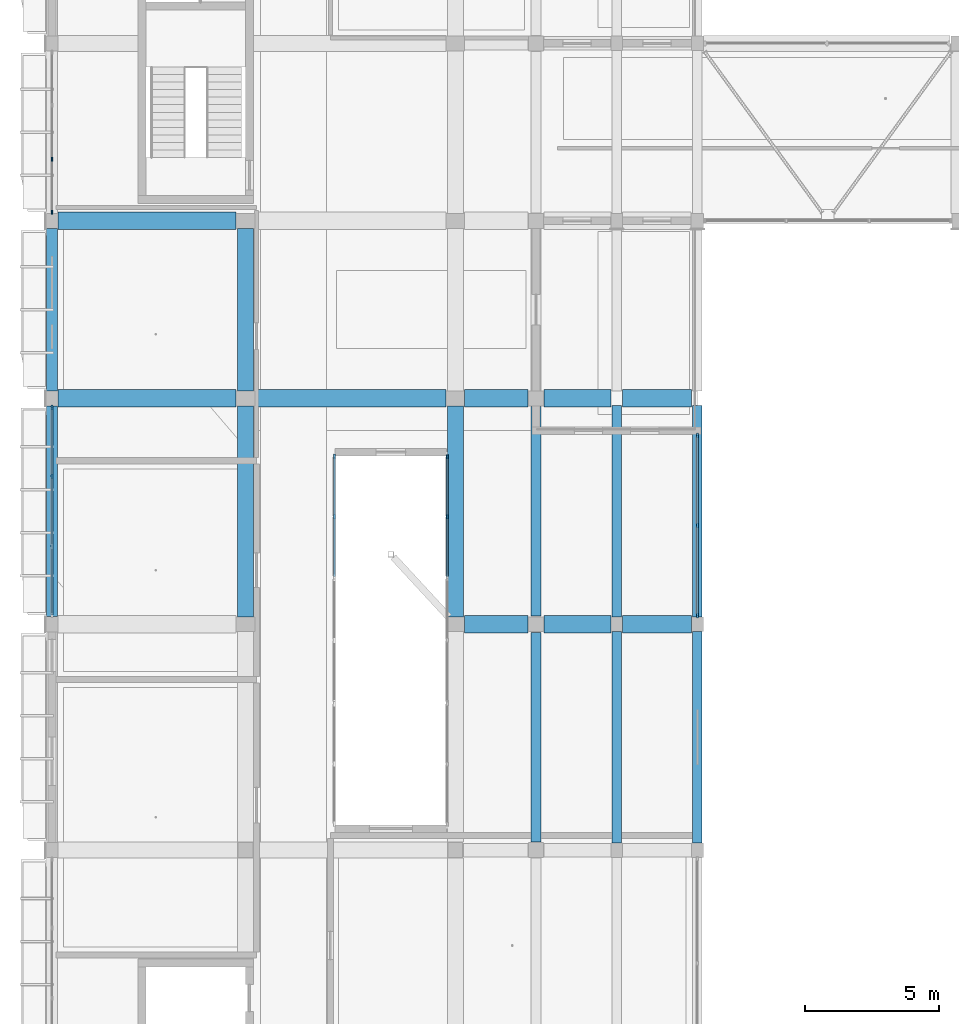
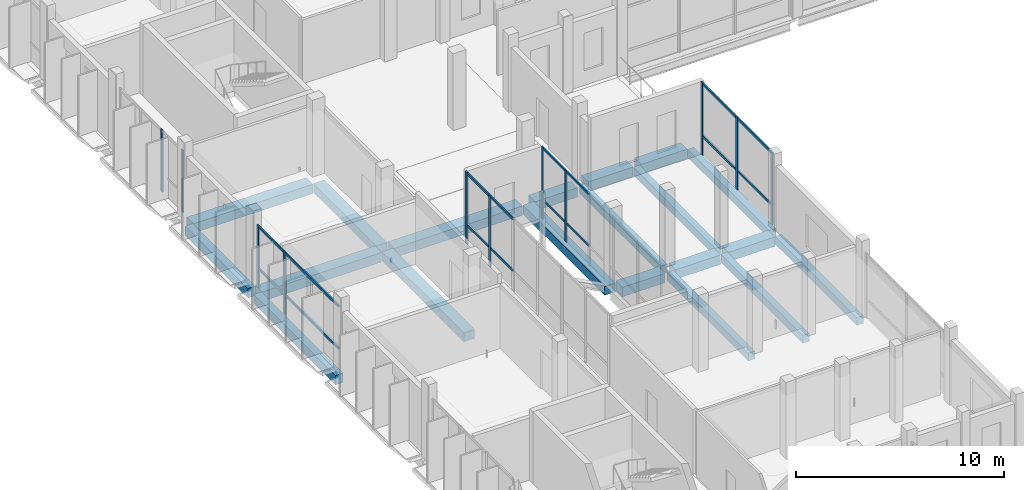
# One storey, part 22 of 95: 20 beams, 19 members, 5 elements without a shape of their own.
"""IFC4 building model written with IfcOpenShell, lengths in metres."""

from ifc_helpers import new_model, si_unit, derived_unit, direction, frame, origin, origin_2d, place, context, subcontext, project, spatial, rectangle, extrude, material, material_profile, profile_set, type_object, element, aggregate, save


model = new_model("IFC4")

# Units and contexts
model_context = context("Model", 3, precision=1e-05, world=origin(), true_north=direction((0.0, 1.0)))
body_context = subcontext(model_context, "Body", "Model", "MODEL_VIEW")
ifc_project = project(units=[si_unit("LENGTHUNIT", "METRE"), si_unit("AREAUNIT", "SQUARE_METRE"), si_unit("VOLUMEUNIT", "CUBIC_METRE"), si_unit("PLANEANGLEUNIT", "RADIAN"), si_unit("MASSUNIT", "GRAM", prefix="KILO"), derived_unit("THERMALTRANSMITTANCEUNIT", [(si_unit("POWERUNIT", "WATT"), 1), (si_unit("LENGTHUNIT", "METRE"), -2), (si_unit("THERMODYNAMICTEMPERATUREUNIT", "KELVIN"), -1)])], contexts=[model_context])

# Site, building, storey
site_placement = place(None, origin())
site = spatial("IfcSite", under=ifc_project, at=site_placement, CompositionType="ELEMENT")
building_placement = place(site_placement, origin())
building = spatial("IfcBuilding", under=site, at=building_placement, Name="Braskholm Square Health Centre", CompositionType="ELEMENT")
storey_placement = place(building_placement, frame((0.0, 0.0, 4.800048828125)))
storey = spatial("IfcBuildingStorey", under=building, at=storey_placement, Name="L02", CompositionType="ELEMENT", Elevation=4.800048828125)

# Curtain wall, members
ifc_material_1 = material(Name="Low-E triple insulating glass (VLT 0.64)", Category="glass")
curtain_wall_type_1 = type_object("IfcCurtainWallType", Name="UnitisedCurtainWall6200x3650", PredefinedType="NOTDEFINED", material=ifc_material_1)
curtain_wall_1_placement = place(storey_placement, origin())
curtain_wall_1 = element("IfcCurtainWall", 1, at=curtain_wall_1_placement, inside=storey, type_object=curtain_wall_type_1, Name="West Outer unitised curtain wall CW-L02-0012", PredefinedType="NOTDEFINED")
ifc_material_2 = material(Name="Architectural bronze anodised aluminium", Category="aluminium")
ifc_material_profile_1 = material_profile(ifc_material_2, rectangle(XDim=0.06494140625, YDim=0.14990234375, at=origin_2d()), Name="ALU-65X150")
ifc_profile_set_1 = profile_set([ifc_material_profile_1], Name="Architectural bronze anodised aluminium")
member_type_1 = type_object("IfcMemberType", Name="CurtainWallMullion65x150", PredefinedType="MULLION", material=ifc_profile_set_1)
member_1_placement = place(storey_placement, frame((4.199951171875, 89.49658203125, 0.0), z_axis=(0.0, 0.0, 1.0), x_axis=(1.0, 0.0, 0.0)))
member_1 = element("IfcMember", 2, at=member_1_placement, type_object=member_type_1, Name="CW-L02-0012 vertical mullion 3", PredefinedType="MULLION", context=body_context, shape_type="SweptSolid", body=[
    extrude(rectangle(XDim=0.06494140625, YDim=0.14990234375, at=origin_2d()), origin(), (0.0, 0.0, 1.0), 3.64990234375),
])
member_2_placement = place(storey_placement, frame((4.199951171875, 87.526123046875, 0.0), z_axis=(0.0, 0.0, 1.0), x_axis=(1.0, 0.0, 0.0)))
member_2 = element("IfcMember", 3, at=member_2_placement, type_object=member_type_1, Name="CW-L02-0012 vertical mullion 4", PredefinedType="MULLION", context=body_context, shape_type="SweptSolid", body=[
    extrude(rectangle(XDim=0.06494140625, YDim=0.14990234375, at=origin_2d()), origin(), (0.0, 0.0, 1.0), 3.64990234375),
])
aggregate(curtain_wall_1, [member_1, member_2])

curtain_wall_type_2 = type_object("IfcCurtainWallType", Name="UnitisedCurtainWall4800x4100", PredefinedType="NOTDEFINED", material=ifc_material_1)
curtain_wall_2_placement = place(storey_placement, origin())
curtain_wall_2 = element("IfcCurtainWall", 4, at=curtain_wall_2_placement, inside=storey, type_object=curtain_wall_type_2, Name="WC2 Court E unitised curtain wall CW-L02-0296", PredefinedType="NOTDEFINED")
member_3_placement = place(storey_placement, frame((18.89990234375, 78.432861328125, 0.0), z_axis=(0.0, 0.0, 1.0), x_axis=(1.0, 0.0, 0.0)))
member_3 = element("IfcMember", 5, at=member_3_placement, type_object=member_type_1, Name="CW-L02-0296 vertical mullion 1", PredefinedType="MULLION", context=body_context, shape_type="SweptSolid", body=[
    extrude(rectangle(XDim=0.06494140625, YDim=0.14990234375, at=origin_2d()), origin(), (0.0, 0.0, 1.0), 4.199951171875),
])
member_4_placement = place(storey_placement, frame((18.89990234375, 76.198974609375, 0.0), z_axis=(0.0, 0.0, 1.0), x_axis=(1.0, 0.0, 0.0)))
member_4 = element("IfcMember", 6, at=member_4_placement, type_object=member_type_1, Name="CW-L02-0296 vertical mullion 2", PredefinedType="MULLION", context=body_context, shape_type="SweptSolid", body=[
    extrude(rectangle(XDim=0.06494140625, YDim=0.14990234375, at=origin_2d()), origin(), (0.0, 0.0, 1.0), 4.199951171875),
])

curtain_wall_3_placement = place(storey_placement, origin())
curtain_wall_3 = element("IfcCurtainWall", 7, at=curtain_wall_3_placement, inside=storey, type_object=curtain_wall_type_1, Name="West Outer unitised curtain wall CW-L02-0011", PredefinedType="NOTDEFINED")
ifc_material_profile_2 = material_profile(ifc_material_2, rectangle(XDim=0.074951171875, YDim=0.179931640625, at=origin_2d()), Name="ALU-75X180")
ifc_profile_set_2 = profile_set([ifc_material_profile_2], Name="Architectural bronze anodised aluminium")
member_type_2 = type_object("IfcMemberType", Name="CurtainWallMullion75x180", PredefinedType="MULLION", material=ifc_profile_set_2)
member_5_placement = place(storey_placement, frame((4.199951171875, 80.26318359375, 0.0), z_axis=(0.0, 0.0, 1.0), x_axis=(1.0, 0.0, 0.0)))
member_5 = element("IfcMember", 8, at=member_5_placement, type_object=member_type_2, Name="CW-L02-0011 vertical mullion 1", PredefinedType="MULLION", context=body_context, shape_type="SweptSolid", body=[
    extrude(rectangle(XDim=0.074951171875, YDim=0.179931640625, at=origin_2d()), origin(), (0.0, 0.0, 1.0), 3.64990234375),
])
member_6_placement = place(storey_placement, frame((4.199951171875, 77.703369140625, 0.0), z_axis=(0.0, 0.0, 1.0), x_axis=(1.0, 0.0, 0.0)))
member_6 = element("IfcMember", 9, at=member_6_placement, type_object=member_type_2, Name="CW-L02-0011 vertical mullion 2", PredefinedType="MULLION", context=body_context, shape_type="SweptSolid", body=[
    extrude(rectangle(XDim=0.074951171875, YDim=0.179931640625, at=origin_2d()), origin(), (0.0, 0.0, 1.0), 3.64990234375),
])

curtain_wall_type_3 = type_object("IfcCurtainWallType", Name="UnitisedCurtainWall6200x4100", PredefinedType="NOTDEFINED", material=ifc_material_1)
curtain_wall_4_placement = place(storey_placement, origin())
curtain_wall_4 = element("IfcCurtainWall", 10, at=curtain_wall_4_placement, inside=storey, type_object=curtain_wall_type_3, Name="West Valley unitised curtain wall CW-L02-0089", PredefinedType="NOTDEFINED")
member_7_placement = place(storey_placement, frame((28.199951171875, 72.520751953125, 0.0), z_axis=(0.0, 0.0, 1.0), x_axis=(1.0, 0.0, 0.0)))
member_7 = element("IfcMember", 11, at=member_7_placement, type_object=member_type_2, Name="CW-L02-0089 vertical mullion 1", PredefinedType="MULLION", context=body_context, shape_type="SweptSolid", body=[
    extrude(rectangle(XDim=0.074951171875, YDim=0.179931640625, at=origin_2d()), origin(), (0.0, 0.0, 1.0), 4.25),
])
member_8_placement = place(storey_placement, frame((28.199951171875, 75.868896484375, 0.0), z_axis=(0.0, 0.0, 1.0), x_axis=(1.0, 0.0, 0.0)))
member_8 = element("IfcMember", 12, at=member_8_placement, type_object=member_type_2, Name="CW-L02-0089 vertical mullion 2", PredefinedType="MULLION", context=body_context, shape_type="SweptSolid", body=[
    extrude(rectangle(XDim=0.074951171875, YDim=0.179931640625, at=origin_2d()), origin(), (0.0, 0.0, 1.0), 4.25),
])
member_9_placement = place(storey_placement, frame((28.199951171875, 79.21728515625, 0.0), z_axis=(0.0, 0.0, 1.0), x_axis=(1.0, 0.0, 0.0)))
member_9 = element("IfcMember", 13, at=member_9_placement, type_object=member_type_2, Name="CW-L02-0089 vertical mullion 3", PredefinedType="MULLION", context=body_context, shape_type="SweptSolid", body=[
    extrude(rectangle(XDim=0.074951171875, YDim=0.179931640625, at=origin_2d()), origin(), (0.0, 0.0, 1.0), 4.25),
])

curtain_wall_5_placement = place(storey_placement, origin())
curtain_wall_5 = element("IfcCurtainWall", 14, at=curtain_wall_5_placement, inside=storey, type_object=curtain_wall_type_2, Name="WC2 Court W unitised curtain wall CW-L02-0295", PredefinedType="NOTDEFINED")
member_10_placement = place(storey_placement, frame((14.699951171875, 76.198974609375, 0.0), z_axis=(0.0, 0.0, 1.0), x_axis=(1.0, 0.0, 0.0)))
member_10 = element("IfcMember", 15, at=member_10_placement, type_object=member_type_2, Name="CW-L02-0295 vertical mullion 2", PredefinedType="MULLION", context=body_context, shape_type="SweptSolid", body=[
    extrude(rectangle(XDim=0.074951171875, YDim=0.179931640625, at=origin_2d()), origin(), (0.0, 0.0, 1.0), 4.199951171875),
])
member_11_placement = place(storey_placement, frame((14.699951171875, 78.432861328125, 0.0), z_axis=(0.0, 0.0, 1.0), x_axis=(1.0, 0.0, 0.0)))
member_11 = element("IfcMember", 16, at=member_11_placement, type_object=member_type_2, Name="CW-L02-0295 vertical mullion 3", PredefinedType="MULLION", context=body_context, shape_type="SweptSolid", body=[
    extrude(rectangle(XDim=0.074951171875, YDim=0.179931640625, at=origin_2d()), origin(), (0.0, 0.0, 1.0), 4.199951171875),
])

# Member
ifc_material_profile_3 = material_profile(ifc_material_2, rectangle(XDim=0.06494140625, YDim=0.1201171875, at=origin_2d()), Name="ALU-65X120")
ifc_profile_set_3 = profile_set([ifc_material_profile_3], Name="Architectural bronze anodised aluminium")
member_type_3 = type_object("IfcMemberType", Name="CurtainWallTransom65x120", PredefinedType="USERDEFINED", material=ifc_profile_set_3)
member_12_placement = place(storey_placement, frame((18.89990234375, 78.4150390625, 1.119873046875), z_axis=(0.0, -1.0, 0.0), x_axis=(1.0, 0.0, 0.0)))
member_12 = element("IfcMember", 17, at=member_12_placement, type_object=member_type_3, Name="CW-L02-0296 horizontal transom 1", ObjectType="TRANSOM", PredefinedType="USERDEFINED", context=body_context, shape_type="SweptSolid", body=[
    extrude(rectangle(XDim=0.06494140625, YDim=0.1201171875, at=origin_2d()), origin(), (0.0, 0.0, 1.0), 4.43212890625),
])

member_13_placement = place(storey_placement, frame((18.89990234375, 78.4150390625, 4.1298828125), z_axis=(0.0, -1.0, 0.0), x_axis=(1.0, 0.0, 0.0)))
member_13 = element("IfcMember", 18, at=member_13_placement, type_object=member_type_3, Name="CW-L02-0296 horizontal transom 2", ObjectType="TRANSOM", PredefinedType="USERDEFINED", context=body_context, shape_type="SweptSolid", body=[
    extrude(rectangle(XDim=0.06494140625, YDim=0.1201171875, at=origin_2d()), origin(), (0.0, 0.0, 1.0), 4.43212890625),
])

aggregate(curtain_wall_2, [member_3, member_4, member_12, member_13])

ifc_material_profile_4 = material_profile(ifc_material_2, rectangle(XDim=0.074951171875, YDim=0.139892578125, at=origin_2d()), Name="ALU-75X140")
ifc_profile_set_4 = profile_set([ifc_material_profile_4], Name="Architectural bronze anodised aluminium")
member_type_4 = type_object("IfcMemberType", Name="CurtainWallTransom75x140", PredefinedType="USERDEFINED", material=ifc_profile_set_4)
member_14_placement = place(storey_placement, frame((4.199951171875, 80.264892578125, 1.119873046875), z_axis=(0.0, -1.0, 0.0), x_axis=(1.0, 0.0, 0.0)))
member_14 = element("IfcMember", 19, at=member_14_placement, type_object=member_type_4, Name="CW-L02-0011 horizontal transom 1", ObjectType="TRANSOM", PredefinedType="USERDEFINED", context=body_context, shape_type="SweptSolid", body=[
    extrude(rectangle(XDim=0.074951171875, YDim=0.139892578125, at=origin_2d()), origin(), (0.0, 0.0, 1.0), 7.72998046875),
])

member_15_placement = place(storey_placement, frame((4.199951171875, 80.264892578125, 3.579833984375), z_axis=(0.0, -1.0, 0.0), x_axis=(1.0, 0.0, 0.0)))
member_15 = element("IfcMember", 20, at=member_15_placement, type_object=member_type_4, Name="CW-L02-0011 horizontal transom 2", ObjectType="TRANSOM", PredefinedType="USERDEFINED", context=body_context, shape_type="SweptSolid", body=[
    extrude(rectangle(XDim=0.074951171875, YDim=0.139892578125, at=origin_2d()), origin(), (0.0, 0.0, 1.0), 7.72998046875),
])

aggregate(curtain_wall_3, [member_5, member_6, member_14, member_15])

member_16_placement = place(storey_placement, frame((28.199951171875, 72.52490234375, 1.119873046875), z_axis=(0.0, 1.0, 0.0), x_axis=(-1.0, 0.0, 0.0)))
member_16 = element("IfcMember", 21, at=member_16_placement, type_object=member_type_4, Name="CW-L02-0089 horizontal transom 1", ObjectType="TRANSOM", PredefinedType="USERDEFINED", context=body_context, shape_type="SweptSolid", body=[
    extrude(rectangle(XDim=0.074951171875, YDim=0.139892578125, at=origin_2d()), origin(), (0.0, 0.0, 1.0), 6.68798828125),
])

member_17_placement = place(storey_placement, frame((28.199951171875, 72.52490234375, 4.179931640625), z_axis=(0.0, 1.0, 0.0), x_axis=(-1.0, 0.0, 0.0)))
member_17 = element("IfcMember", 22, at=member_17_placement, type_object=member_type_4, Name="CW-L02-0089 horizontal transom 2", ObjectType="TRANSOM", PredefinedType="USERDEFINED", context=body_context, shape_type="SweptSolid", body=[
    extrude(rectangle(XDim=0.074951171875, YDim=0.139892578125, at=origin_2d()), origin(), (0.0, 0.0, 1.0), 6.68798828125),
])

aggregate(curtain_wall_4, [member_7, member_8, member_9, member_16, member_17])

member_18_placement = place(storey_placement, frame((14.699951171875, 73.98291015625, 1.119873046875), z_axis=(0.0, 1.0, 0.0), x_axis=(-1.0, 0.0, 0.0)))
member_18 = element("IfcMember", 23, at=member_18_placement, type_object=member_type_4, Name="CW-L02-0295 horizontal transom 1", ObjectType="TRANSOM", PredefinedType="USERDEFINED", context=body_context, shape_type="SweptSolid", body=[
    extrude(rectangle(XDim=0.074951171875, YDim=0.139892578125, at=origin_2d()), origin(), (0.0, 0.0, 1.0), 4.43212890625),
])

member_19_placement = place(storey_placement, frame((14.699951171875, 73.98291015625, 4.1298828125), z_axis=(0.0, 1.0, 0.0), x_axis=(-1.0, 0.0, 0.0)))
member_19 = element("IfcMember", 24, at=member_19_placement, type_object=member_type_4, Name="CW-L02-0295 horizontal transom 2", ObjectType="TRANSOM", PredefinedType="USERDEFINED", context=body_context, shape_type="SweptSolid", body=[
    extrude(rectangle(XDim=0.074951171875, YDim=0.139892578125, at=origin_2d()), origin(), (0.0, 0.0, 1.0), 4.43212890625),
])

aggregate(curtain_wall_5, [member_10, member_11, member_18, member_19])

# Beams
ifc_material_3 = material(Name="Concrete C40/50 (f'c = 40 MPa)", Category="concrete")
ifc_material_profile_5 = material_profile(ifc_material_3, rectangle(XDim=0.64990234375, YDim=0.550048828125, at=origin_2d()), Name="RCB-650X550")
ifc_profile_set_5 = profile_set([ifc_material_profile_5], Name="Concrete C40/50 (f'c = 40 MPa)")
beam_type_1 = type_object("IfcBeamType", Name="PrimaryGirderImaging650x550", PredefinedType="BEAM", material=ifc_profile_set_5)
beam_1_placement = place(storey_placement, frame((19.550048828125, 72.199951171875, -0.574951171875), z_axis=(1.0, 0.0, 0.0), x_axis=(0.0, 1.0, 0.0)))
element("IfcBeam", 25, at=beam_1_placement, inside=storey, type_object=beam_type_1, Name="Beam 3-4/L L02", PredefinedType="BEAM", context=body_context, shape_type="SweptSolid", body=[
    extrude(rectangle(XDim=0.64990234375, YDim=0.550048828125, at=origin_2d()), origin(), (0.0, 0.0, 1.0), 2.349853515625),
])
beam_2_placement = place(storey_placement, frame((22.5, 72.199951171875, -0.574951171875), z_axis=(1.0, 0.0, 0.0), x_axis=(0.0, 1.0, 0.0)))
element("IfcBeam", 26, at=beam_2_placement, inside=storey, type_object=beam_type_1, Name="Beam 4-5/L L02", PredefinedType="BEAM", context=body_context, shape_type="SweptSolid", body=[
    extrude(rectangle(XDim=0.64990234375, YDim=0.550048828125, at=origin_2d()), origin(), (0.0, 0.0, 1.0), 2.47998046875),
])
beam_3_placement = place(storey_placement, frame((25.419921875, 72.199951171875, -0.574951171875), z_axis=(1.0, 0.0, 0.0), x_axis=(0.0, 1.0, 0.0)))
element("IfcBeam", 27, at=beam_3_placement, inside=storey, type_object=beam_type_1, Name="Beam 5-6/L L02", PredefinedType="BEAM", context=body_context, shape_type="SweptSolid", body=[
    extrude(rectangle(XDim=0.64990234375, YDim=0.550048828125, at=origin_2d()), origin(), (0.0, 0.0, 1.0), 2.56005859375),
])
beam_4_placement = place(storey_placement, frame((4.429931640625, 80.60009765625, -0.655029296875), z_axis=(1.0, 0.0, 0.0), x_axis=(0.0, 1.0, 0.0)))
element("IfcBeam", 28, at=beam_4_placement, inside=storey, type_object=beam_type_1, Name="Beam 1-2/M L02", PredefinedType="BEAM", context=body_context, shape_type="SweptSolid", body=[
    extrude(rectangle(XDim=0.64990234375, YDim=0.550048828125, at=origin_2d()), origin(), (0.0, 0.0, 1.0), 6.6201171875),
])
beam_5_placement = place(storey_placement, frame((11.75, 80.60009765625, -0.655029296875), z_axis=(1.0, 0.0, 0.0), x_axis=(0.0, 1.0, 0.0)))
element("IfcBeam", 29, at=beam_5_placement, inside=storey, type_object=beam_type_1, Name="Beam 2-3/M L02", PredefinedType="BEAM", context=body_context, shape_type="SweptSolid", body=[
    extrude(rectangle(XDim=0.64990234375, YDim=0.550048828125, at=origin_2d()), origin(), (0.0, 0.0, 1.0), 7.10009765625),
])
beam_6_placement = place(storey_placement, frame((19.550048828125, 80.60009765625, -0.655029296875), z_axis=(1.0, 0.0, 0.0), x_axis=(0.0, 1.0, 0.0)))
element("IfcBeam", 30, at=beam_6_placement, inside=storey, type_object=beam_type_1, Name="Beam 3-4/M L02", PredefinedType="BEAM", context=body_context, shape_type="SweptSolid", body=[
    extrude(rectangle(XDim=0.64990234375, YDim=0.550048828125, at=origin_2d()), origin(), (0.0, 0.0, 1.0), 2.349853515625),
])
beam_7_placement = place(storey_placement, frame((22.5, 80.60009765625, -0.525146484375), z_axis=(1.0, 0.0, 0.0), x_axis=(0.0, 1.0, 0.0)))
element("IfcBeam", 31, at=beam_7_placement, inside=storey, type_object=beam_type_1, Name="Beam 4-5/M L02", PredefinedType="BEAM", context=body_context, shape_type="SweptSolid", body=[
    extrude(rectangle(XDim=0.64990234375, YDim=0.550048828125, at=origin_2d()), origin(), (0.0, 0.0, 1.0), 2.47998046875),
])
beam_8_placement = place(storey_placement, frame((25.419921875, 80.60009765625, -0.525146484375), z_axis=(1.0, 0.0, 0.0), x_axis=(0.0, 1.0, 0.0)))
element("IfcBeam", 32, at=beam_8_placement, inside=storey, type_object=beam_type_1, Name="Beam 5-6/M L02", PredefinedType="BEAM", context=body_context, shape_type="SweptSolid", body=[
    extrude(rectangle(XDim=0.64990234375, YDim=0.550048828125, at=origin_2d()), origin(), (0.0, 0.0, 1.0), 2.56005859375),
])
beam_9_placement = place(storey_placement, frame((4.429931640625, 87.199951171875, -0.655029296875), z_axis=(1.0, 0.0, 0.0), x_axis=(0.0, 1.0, 0.0)))
element("IfcBeam", 33, at=beam_9_placement, inside=storey, type_object=beam_type_1, Name="Beam 1-2/N L02", PredefinedType="BEAM", context=body_context, shape_type="SweptSolid", body=[
    extrude(rectangle(XDim=0.64990234375, YDim=0.550048828125, at=origin_2d()), origin(), (0.0, 0.0, 1.0), 6.6201171875),
])
ifc_material_profile_6 = material_profile(ifc_material_3, rectangle(XDim=0.60009765625, YDim=0.52001953125, at=origin_2d()), Name="RCB-600X520")
ifc_profile_set_6 = profile_set([ifc_material_profile_6], Name="Concrete C40/50 (f'c = 40 MPa)")
beam_type_2 = type_object("IfcBeamType", Name="PrimaryGirderSurgery600x520", PredefinedType="BEAM", material=ifc_profile_set_6)
beam_10_placement = place(storey_placement, frame((11.39990234375, 72.47509765625, -0.64013671875), z_axis=(0.0, 1.0, 0.0), x_axis=(-1.0, 0.0, 0.0)))
element("IfcBeam", 34, at=beam_10_placement, inside=storey, type_object=beam_type_2, Name="Beam 2/L-M L02", PredefinedType="BEAM", context=body_context, shape_type="SweptSolid", body=[
    extrude(rectangle(XDim=0.60009765625, YDim=0.52001953125, at=origin_2d()), origin(), (0.0, 0.0, 1.0), 7.849853515625),
])
beam_11_placement = place(storey_placement, frame((11.39990234375, 80.875, -0.64013671875), z_axis=(0.0, 1.0, 0.0), x_axis=(-1.0, 0.0, 0.0)))
element("IfcBeam", 35, at=beam_11_placement, inside=storey, type_object=beam_type_2, Name="Beam 2/M-N L02", PredefinedType="BEAM", context=body_context, shape_type="SweptSolid", body=[
    extrude(rectangle(XDim=0.60009765625, YDim=0.52001953125, at=origin_2d()), origin(), (0.0, 0.0, 1.0), 6.050048828125),
])
beam_12_placement = place(storey_placement, frame((19.199951171875, 72.47509765625, -0.64013671875), z_axis=(0.0, 1.0, 0.0), x_axis=(-1.0, 0.0, 0.0)))
element("IfcBeam", 36, at=beam_12_placement, inside=storey, type_object=beam_type_2, Name="Beam 3/L-M L02", PredefinedType="BEAM", context=body_context, shape_type="SweptSolid", body=[
    extrude(rectangle(XDim=0.60009765625, YDim=0.52001953125, at=origin_2d()), origin(), (0.0, 0.0, 1.0), 7.849853515625),
])
ifc_material_4 = material(Name="Precast concrete C40/50 architectural white", Category="concrete")
ifc_material_profile_7 = material_profile(ifc_material_4, rectangle(XDim=0.419921875, YDim=0.550048828125, at=origin_2d()), Name="RCB-420X550")
ifc_profile_set_7 = profile_set([ifc_material_profile_7], Name="Precast concrete C40/50 architectural white")
beam_type_3 = type_object("IfcBeamType", Name="SpandrelPrecastLedge420x550", PredefinedType="SPANDREL", material=ifc_profile_set_7)
beam_13_placement = place(storey_placement, frame((4.199951171875, 72.47998046875, -0.655029296875), z_axis=(0.0, 1.0, 0.0), x_axis=(-1.0, 0.0, 0.0)))
element("IfcBeam", 37, at=beam_13_placement, inside=storey, type_object=beam_type_3, Name="Beam 1/L-M L02", PredefinedType="SPANDREL", context=body_context, shape_type="SweptSolid", body=[
    extrude(rectangle(XDim=0.419921875, YDim=0.550048828125, at=origin_2d()), origin(), (0.0, 0.0, 1.0), 7.840087890625),
])
beam_14_placement = place(storey_placement, frame((4.199951171875, 80.8798828125, -0.655029296875), z_axis=(0.0, 1.0, 0.0), x_axis=(-1.0, 0.0, 0.0)))
element("IfcBeam", 38, at=beam_14_placement, inside=storey, type_object=beam_type_3, Name="Beam 1/M-N L02", PredefinedType="SPANDREL", context=body_context, shape_type="SweptSolid", body=[
    extrude(rectangle(XDim=0.419921875, YDim=0.550048828125, at=origin_2d()), origin(), (0.0, 0.0, 1.0), 6.0400390625),
])
ifc_material_profile_8 = material_profile(ifc_material_4, rectangle(XDim=0.360107421875, YDim=0.4599609375, at=origin_2d()), Name="RCB-360X460")
ifc_profile_set_8 = profile_set([ifc_material_profile_8], Name="Precast concrete C40/50 architectural white")
beam_type_4 = type_object("IfcBeamType", Name="SpandrelTerraceEdge360x460", PredefinedType="SPANDREL", material=ifc_profile_set_8)
beam_15_placement = place(storey_placement, frame((22.199951171875, 64.10009765625, -0.530029296875), z_axis=(0.0, 1.0, 0.0), x_axis=(-1.0, 0.0, 0.0)))
element("IfcBeam", 39, at=beam_15_placement, inside=storey, type_object=beam_type_4, Name="Beam 4/K-L L02", PredefinedType="SPANDREL", context=body_context, shape_type="SweptSolid", body=[
    extrude(rectangle(XDim=0.360107421875, YDim=0.4599609375, at=origin_2d()), origin(), (0.0, 0.0, 1.0), 7.7998046875),
])
beam_16_placement = place(storey_placement, frame((22.199951171875, 72.5, -0.530029296875), z_axis=(0.0, 1.0, 0.0), x_axis=(-1.0, 0.0, 0.0)))
element("IfcBeam", 40, at=beam_16_placement, inside=storey, type_object=beam_type_4, Name="Beam 4/L-M L02", PredefinedType="SPANDREL", context=body_context, shape_type="SweptSolid", body=[
    extrude(rectangle(XDim=0.360107421875, YDim=0.4599609375, at=origin_2d()), origin(), (0.0, 0.0, 1.0), 7.800048828125),
])
beam_17_placement = place(storey_placement, frame((25.199951171875, 64.070068359375, -0.530029296875), z_axis=(0.0, 1.0, 0.0), x_axis=(-1.0, 0.0, 0.0)))
element("IfcBeam", 41, at=beam_17_placement, inside=storey, type_object=beam_type_4, Name="Beam 5/K-L L02", PredefinedType="SPANDREL", context=body_context, shape_type="SweptSolid", body=[
    extrude(rectangle(XDim=0.360107421875, YDim=0.4599609375, at=origin_2d()), origin(), (0.0, 0.0, 1.0), 7.85986328125),
])
beam_18_placement = place(storey_placement, frame((25.199951171875, 72.469970703125, -0.530029296875), z_axis=(0.0, 1.0, 0.0), x_axis=(-1.0, 0.0, 0.0)))
element("IfcBeam", 42, at=beam_18_placement, inside=storey, type_object=beam_type_4, Name="Beam 5/L-M L02", PredefinedType="SPANDREL", context=body_context, shape_type="SweptSolid", body=[
    extrude(rectangle(XDim=0.360107421875, YDim=0.4599609375, at=origin_2d()), origin(), (0.0, 0.0, 1.0), 7.860107421875),
])
beam_19_placement = place(storey_placement, frame((28.199951171875, 64.070068359375, -0.530029296875), z_axis=(0.0, 1.0, 0.0), x_axis=(-1.0, 0.0, 0.0)))
element("IfcBeam", 43, at=beam_19_placement, inside=storey, type_object=beam_type_4, Name="Beam 6/K-L L02", PredefinedType="SPANDREL", context=body_context, shape_type="SweptSolid", body=[
    extrude(rectangle(XDim=0.360107421875, YDim=0.4599609375, at=origin_2d()), origin(), (0.0, 0.0, 1.0), 7.85986328125),
])
beam_20_placement = place(storey_placement, frame((28.199951171875, 72.469970703125, -0.530029296875), z_axis=(0.0, 1.0, 0.0), x_axis=(-1.0, 0.0, 0.0)))
element("IfcBeam", 44, at=beam_20_placement, inside=storey, type_object=beam_type_4, Name="Beam 6/L-M L02", PredefinedType="SPANDREL", context=body_context, shape_type="SweptSolid", body=[
    extrude(rectangle(XDim=0.360107421875, YDim=0.4599609375, at=origin_2d()), origin(), (0.0, 0.0, 1.0), 7.860107421875),
])

save(model, "model.ifc")
